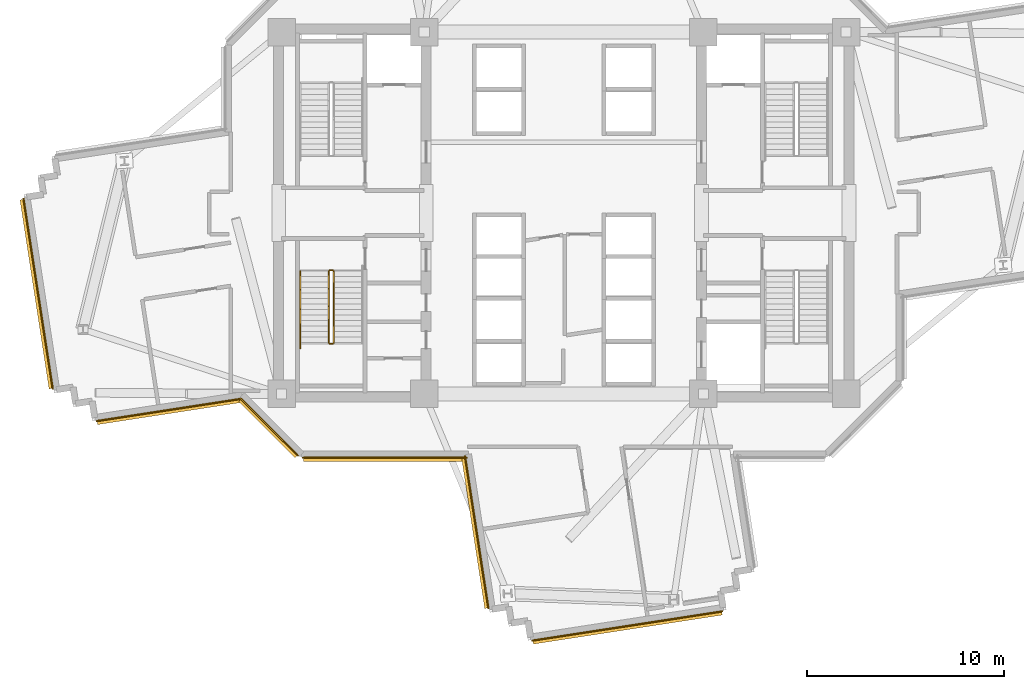
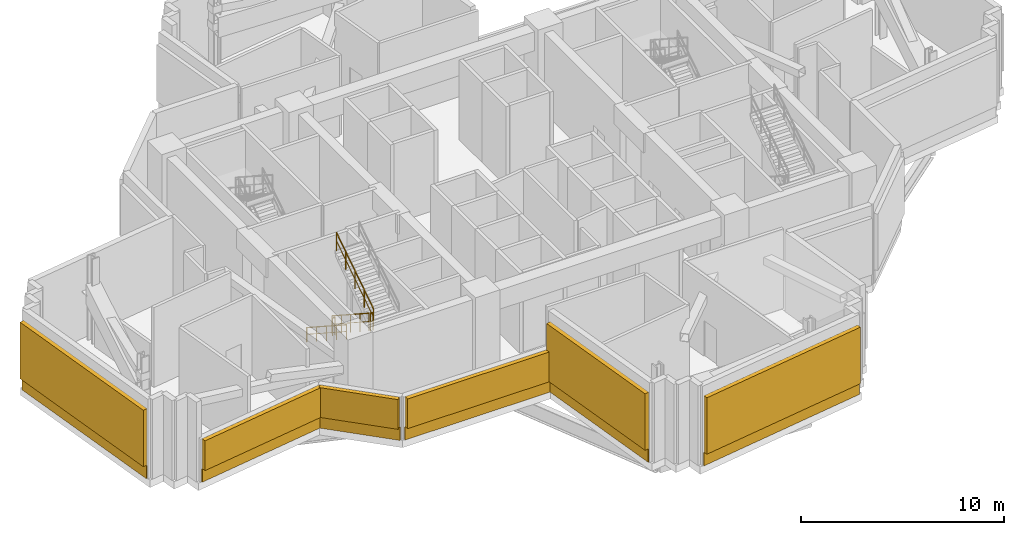
# One storey, part 7 of 10: 6 coverings, 6 shading devices, 5 railings.
"""IFC4 building model written with IfcOpenShell, lengths in metres."""

from ifc_helpers import new_model, si_unit, direction, frame, origin, origin_2d, place, context, subcontext, project, spatial, rectangle, extrude, source, transform, mapped, material, layer, layer_set, type_object, element, save


model = new_model("IFC4")

# Units and contexts
model_context = context("Model", 3, precision=1e-05, world=origin(), true_north=direction((0.0, 1.0)))
body_context = subcontext(model_context, "Body", "Model", "MODEL_VIEW")
ifc_project = project(units=[si_unit("LENGTHUNIT", "METRE"), si_unit("AREAUNIT", "SQUARE_METRE"), si_unit("VOLUMEUNIT", "CUBIC_METRE"), si_unit("PLANEANGLEUNIT", "RADIAN"), si_unit("MASSUNIT", "GRAM", prefix="KILO")], contexts=[model_context])

# Site, building, storey
site_placement = place(None, origin())
site = spatial("IfcSite", under=ifc_project, at=site_placement, CompositionType="ELEMENT")
building_placement = place(site_placement, origin())
building = spatial("IfcBuilding", under=site, at=building_placement, Name="Zahravan Cultural Tower", CompositionType="ELEMENT")
storey_placement = place(building_placement, frame((0.0, 0.0, 125.699951171875)))
storey = spatial("IfcBuildingStorey", under=building, at=storey_placement, Name="L28", CompositionType="ELEMENT", Elevation=125.699951171875)

# Railings
ifc_material_1 = material(Name="Steel ASTM A572 Grade 50", Category="steel")
railing_type_1 = type_object("IfcRailingType", Name="RL-STAIR-GRD1150", PredefinedType="BALUSTRADE", material=ifc_material_1)
railing_1_placement = place(storey_placement, frame((24.050048828125, 24.050048828125, 0.18212890625)))
element("IfcRailing", 1, at=railing_1_placement, inside=storey, type_object=railing_type_1, Name="L28 ST-W2 stair guard 1", PredefinedType="BALUSTRADE", context=body_context, shape_type="SweptSolid", body=[
    extrude(rectangle(XDim=0.05, YDim=0.05, at=origin_2d()), frame((0.0, 0.0, 1.0751953125), z_axis=(0.0, -0.83825089185, 0.545284735081), x_axis=(1.0, 0.0, 0.0)), (0.0, 0.0, 1.0), 4.342529296875),
    extrude(rectangle(XDim=0.032, YDim=0.032, at=origin_2d()), frame((0.0, 0.0, 0.572021484375), z_axis=(0.0, -0.83825089185, 0.545284735081), x_axis=(1.0, 0.0, 0.0)), (0.0, 0.0, 1.0), 4.342529296875),
    extrude(rectangle(XDim=0.04, YDim=0.04, at=origin_2d()), origin(), (0.0, 0.0, 1.0), 1.10009765625),
    extrude(rectangle(XDim=0.04, YDim=0.04, at=origin_2d()), frame((0.0, -0.91015625, 0.592041015625)), (0.0, 0.0, 1.0), 1.10009765625),
    extrude(rectangle(XDim=0.04, YDim=0.04, at=origin_2d()), frame((0.0, -1.820068359375, 1.18408203125)), (0.0, 0.0, 1.0), 1.10009765625),
    extrude(rectangle(XDim=0.04, YDim=0.04, at=origin_2d()), frame((0.0, -2.72998046875, 1.77587890625)), (0.0, 0.0, 1.0), 1.10009765625),
    extrude(rectangle(XDim=0.04, YDim=0.04, at=origin_2d()), frame((0.0, -3.64013671875, 2.367919921875)), (0.0, 0.0, 1.0), 1.10009765625),
])
railing_2_placement = place(storey_placement, frame((24.10009765625, 20.360107421875, 2.550048828125)))
element("IfcRailing", 2, at=railing_2_placement, inside=storey, type_object=railing_type_1, Name="L28 ST-W2 stair guard 2", PredefinedType="BALUSTRADE", context=body_context, shape_type="SweptSolid", body=[
    extrude(rectangle(XDim=0.05, YDim=0.05, at=origin_2d()), frame((0.0, 0.0, 1.0751953125), z_axis=(1.0, 0.0, 0.0), x_axis=(0.0, 1.0, 0.0)), (0.0, 0.0, 1.0), 0.14990234375),
    extrude(rectangle(XDim=0.032, YDim=0.032, at=origin_2d()), frame((0.0, 0.0, 0.572021484375), z_axis=(1.0, 0.0, 0.0), x_axis=(0.0, 1.0, 0.0)), (0.0, 0.0, 1.0), 0.14990234375),
    extrude(rectangle(XDim=0.04, YDim=0.04, at=origin_2d()), origin(), (0.0, 0.0, 1.0), 1.10009765625),
    extrude(rectangle(XDim=0.04, YDim=0.04, at=origin_2d()), frame((0.14990234375, 0.0, 0.0)), (0.0, 0.0, 1.0), 1.10009765625),
])
railing_3_placement = place(storey_placement, frame((24.300048828125, 20.409912109375, 2.732177734375)))
element("IfcRailing", 3, at=railing_3_placement, inside=storey, type_object=railing_type_1, Name="L28 ST-W2 stair guard 3", PredefinedType="BALUSTRADE", context=body_context, shape_type="SweptSolid", body=[
    extrude(rectangle(XDim=0.05, YDim=0.05, at=origin_2d()), frame((0.0, 0.0, 1.0751953125), z_axis=(0.0, 0.83825089185, 0.545284735081), x_axis=(-1.0, 0.0, 0.0)), (0.0, 0.0, 1.0), 4.342529296875),
    extrude(rectangle(XDim=0.032, YDim=0.032, at=origin_2d()), frame((0.0, 0.0, 0.572021484375), z_axis=(0.0, 0.83825089185, 0.545284735081), x_axis=(-1.0, 0.0, 0.0)), (0.0, 0.0, 1.0), 4.342529296875),
    extrude(rectangle(XDim=0.04, YDim=0.04, at=origin_2d()), origin(), (0.0, 0.0, 1.0), 1.10009765625),
    extrude(rectangle(XDim=0.04, YDim=0.04, at=origin_2d()), frame((0.0, 0.91015625, 0.592041015625)), (0.0, 0.0, 1.0), 1.10009765625),
    extrude(rectangle(XDim=0.04, YDim=0.04, at=origin_2d()), frame((0.0, 1.820068359375, 1.18408203125)), (0.0, 0.0, 1.0), 1.10009765625),
    extrude(rectangle(XDim=0.04, YDim=0.04, at=origin_2d()), frame((0.0, 2.72998046875, 1.77587890625)), (0.0, 0.0, 1.0), 1.10009765625),
    extrude(rectangle(XDim=0.04, YDim=0.04, at=origin_2d()), frame((0.0, 3.64013671875, 2.367919921875)), (0.0, 0.0, 1.0), 1.10009765625),
])
railing_4_placement = place(storey_placement, frame((24.10009765625, 24.10009765625, 0.0)))
element("IfcRailing", 4, at=railing_4_placement, inside=storey, type_object=railing_type_1, Name="L28 ST-W2 stair guard 4", PredefinedType="BALUSTRADE", context=body_context, shape_type="SweptSolid", body=[
    extrude(rectangle(XDim=0.05, YDim=0.05, at=origin_2d()), frame((0.0, 0.0, 1.0751953125), z_axis=(1.0, 0.0, 0.0), x_axis=(0.0, 1.0, 0.0)), (0.0, 0.0, 1.0), 0.14990234375),
    extrude(rectangle(XDim=0.032, YDim=0.032, at=origin_2d()), frame((0.0, 0.0, 0.572021484375), z_axis=(1.0, 0.0, 0.0), x_axis=(0.0, 1.0, 0.0)), (0.0, 0.0, 1.0), 0.14990234375),
    extrude(rectangle(XDim=0.04, YDim=0.04, at=origin_2d()), origin(), (0.0, 0.0, 1.0), 1.10009765625),
    extrude(rectangle(XDim=0.04, YDim=0.04, at=origin_2d()), frame((0.14990234375, 0.0, 0.0)), (0.0, 0.0, 1.0), 1.10009765625),
])
railing_type_2 = type_object("IfcRailingType", Name="RL-STAIR-HR900", PredefinedType="HANDRAIL", material=ifc_material_1)
railing_5_placement = place(storey_placement, frame((22.60009765625, 24.050048828125, 0.18212890625)))
element("IfcRailing", 5, at=railing_5_placement, inside=storey, type_object=railing_type_2, Name="L28 ST-W2 stair handrail 1", PredefinedType="HANDRAIL", context=body_context, shape_type="SweptSolid", body=[
    extrude(rectangle(XDim=0.05, YDim=0.05, at=origin_2d()), frame((0.0, 0.0, 0.875), z_axis=(0.0, -0.838253921411, 0.545280077794), x_axis=(1.0, 0.0, 0.0)), (0.0, 0.0, 1.0), 4.676513671875),
    extrude(rectangle(XDim=0.032, YDim=0.032, at=origin_2d()), frame((0.0, 0.0, 0.468017578125), z_axis=(0.0, -0.838253921411, 0.545280077794), x_axis=(1.0, 0.0, 0.0)), (0.0, 0.0, 1.0), 4.676513671875),
    extrude(rectangle(XDim=0.04, YDim=0.04, at=origin_2d()), origin(), (0.0, 0.0, 1.0), 0.89990234375),
    extrude(rectangle(XDim=0.04, YDim=0.04, at=origin_2d()), frame((0.0, -0.97998046875, 0.637451171875)), (0.0, 0.0, 1.0), 0.89990234375),
    extrude(rectangle(XDim=0.04, YDim=0.04, at=origin_2d()), frame((0.0, -1.9599609375, 1.27490234375)), (0.0, 0.0, 1.0), 0.89990234375),
    extrude(rectangle(XDim=0.04, YDim=0.04, at=origin_2d()), frame((0.0, -2.940185546875, 1.91259765625)), (0.0, 0.0, 1.0), 0.89990234375),
    extrude(rectangle(XDim=0.04, YDim=0.04, at=origin_2d()), frame((0.0, -3.920166015625, 2.550048828125)), (0.0, 0.0, 1.0), 0.89990234375),
])

# Coverings
ifc_material_2 = material(Name="Terracotta ceramic cladding", Category="masonry")
ifc_layer = layer(ifc_material_2, 0.06005859375)
ifc_layer_set = layer_set([ifc_layer], Name="Terracotta ceramic cladding")
covering_type = type_object("IfcCoveringType", Name="COV-CLAD-TC60", PredefinedType="CLADDING", material=ifc_layer_set)
shared_shape_1 = source(origin(), body_context, "Body", "SweptSolid", [
    extrude(rectangle(XDim=9.820068359375, YDim=0.06005859375, at=origin_2d()), origin(), (0.0, 0.0, 1.0), 0.760009765625),
])
for number, where, z_axis, x_axis, name in (
    (6, (39.228271484375, 6.001708984375, 0.02001953125), (0.0, 0.0, 1.0), (-0.988388045954, -0.151950882248, 0.0), "L28 Terracotta Spandrel Cladding 20"),
    (7, (9.26904296875, 22.890380859375, 0.02001953125), (0.0, 0.0, 1.0), (-0.151950882248, 0.988388045954, 0.0), "L28 Terracotta Spandrel Cladding 33"),
):
    element("IfcCovering", number, at=place(storey_placement, frame(where, z_axis=z_axis, x_axis=x_axis)), inside=storey, type_object=covering_type, Name=name, PredefinedType="CLADDING", context=body_context, shape_type="MappedRepresentation", body=[
        mapped(shared_shape_1, transform((0.0, 0.0, 0.0), x_axis=(1.0, 0.0, 0.0), y_axis=(0.0, 1.0, 0.0), z_axis=(0.0, 0.0, 1.0), scale=1.0)),
    ])
shared_shape_2 = source(origin(), body_context, "Body", "SweptSolid", [
    extrude(rectangle(XDim=7.493896484375, YDim=0.06005859375, at=origin_2d()), origin(), (0.0, 0.0, 1.0), 0.760009765625),
])
covering_1_placement = place(storey_placement, frame((15.925048828125, 16.98828125, 0.02001953125), z_axis=(0.0, 0.0, 1.0), x_axis=(-0.98838539376, -0.151968132851, 0.0)))
element("IfcCovering", 8, at=covering_1_placement, inside=storey, type_object=covering_type, Name="L28 Terracotta Spandrel Cladding 28", PredefinedType="CLADDING", context=body_context, shape_type="MappedRepresentation", body=[
    mapped(shared_shape_2, transform((0.0, 0.0, 0.0), x_axis=(1.0, 0.0, 0.0), y_axis=(0.0, 1.0, 0.0), z_axis=(0.0, 0.0, 1.0), scale=1.0)),
])

# Shading devices
ifc_material_3 = material(Name="Architectural terracotta fin", Category="masonry")
shading_device_type = type_object("IfcShadingDeviceType", Name="SHD-LOUVRE-BAND", PredefinedType="JALOUSIE", material=ifc_material_3)
shared_shape_3 = source(origin(), body_context, "Body", "SweptSolid", [
    extrude(rectangle(XDim=7.393798828125, YDim=0.239990234375, at=origin_2d()), origin(), (0.0, 0.0, 1.0), 1.7919921875),
])
shading_device_1_placement = place(storey_placement, frame((15.934814453125, 16.924072265625, 0.780029296875), z_axis=(0.0, 0.0, 1.0), x_axis=(-0.98838539376, -0.151968132851, 0.0)))
element("IfcShadingDevice", 9, at=shading_device_1_placement, inside=storey, type_object=shading_device_type, Name="L28 Terracotta Acoustic Louvre 12", PredefinedType="JALOUSIE", context=body_context, shape_type="MappedRepresentation", body=[
    mapped(shared_shape_3, transform((0.0, 0.0, 0.0), x_axis=(1.0, 0.0, 0.0), y_axis=(0.0, 1.0, 0.0), z_axis=(0.0, 0.0, 1.0), scale=1.0)),
])
shared_shape_4 = source(origin(), body_context, "Body", "SweptSolid", [
    extrude(rectangle(XDim=9.719970703125, YDim=0.239990234375, at=origin_2d()), origin(), (0.0, 0.0, 1.0), 3.39990234375),
])
for number, where, z_axis, x_axis, name in (
    (10, (39.238037109375, 5.9375, 0.780029296875), (0.0, 0.0, 1.0), (-0.988388045954, -0.151950882248, 0.0), "L28 Terracotta Acoustic Louvre 08"),
    (11, (9.204833984375, 22.880615234375, 0.780029296875), (0.0, 0.0, 1.0), (-0.151950882248, 0.988388045954, 0.0), "L28 Terracotta Acoustic Louvre 13"),
):
    element("IfcShadingDevice", number, at=place(storey_placement, frame(where, z_axis=z_axis, x_axis=x_axis)), inside=storey, type_object=shading_device_type, Name=name, PredefinedType="JALOUSIE", context=body_context, shape_type="MappedRepresentation", body=[
        mapped(shared_shape_4, transform((0.0, 0.0, 0.0), x_axis=(1.0, 0.0, 0.0), y_axis=(0.0, 1.0, 0.0), z_axis=(0.0, 0.0, 1.0), scale=1.0)),
    ])

# Covering
shared_shape_5 = source(origin(), body_context, "Body", "SweptSolid", [
    extrude(rectangle(XDim=7.8798828125, YDim=0.06005859375, at=origin_2d()), origin(), (0.0, 0.0, 1.0), 0.760009765625),
])
covering_2_placement = place(storey_placement, frame((31.56982421875, 10.768310546875, 0.02001953125), z_axis=(0.0, 0.0, 1.0), x_axis=(-0.151950882248, 0.988388045954, 0.0)))
element("IfcCovering", 12, at=covering_2_placement, inside=storey, type_object=covering_type, Name="L28 Terracotta Spandrel Cladding 25", PredefinedType="CLADDING", context=body_context, shape_type="MappedRepresentation", body=[
    mapped(shared_shape_5, transform((0.0, 0.0, 0.0), x_axis=(1.0, 0.0, 0.0), y_axis=(0.0, 1.0, 0.0), z_axis=(0.0, 0.0, 1.0), scale=1.0)),
])

# Shading device
shared_shape_6 = source(origin(), body_context, "Body", "SweptSolid", [
    extrude(rectangle(XDim=7.77978515625, YDim=0.239990234375, at=origin_2d()), origin(), (0.0, 0.0, 1.0), 3.39990234375),
])
shading_device_2_placement = place(storey_placement, frame((31.505615234375, 10.75830078125, 0.780029296875), z_axis=(0.0, 0.0, 1.0), x_axis=(-0.151950882248, 0.988388045954, 0.0)))
element("IfcShadingDevice", 13, at=shading_device_2_placement, inside=storey, type_object=shading_device_type, Name="L28 Terracotta Acoustic Louvre 09", PredefinedType="JALOUSIE", context=body_context, shape_type="MappedRepresentation", body=[
    mapped(shared_shape_6, transform((0.0, 0.0, 0.0), x_axis=(1.0, 0.0, 0.0), y_axis=(0.0, 1.0, 0.0), z_axis=(0.0, 0.0, 1.0), scale=1.0)),
])

# Covering
shared_shape_7 = source(origin(), body_context, "Body", "SweptSolid", [
    extrude(rectangle(XDim=8.388427734375, YDim=0.06005859375, at=origin_2d()), origin(), (0.0, 0.0, 1.0), 0.760009765625),
])
covering_3_placement = place(storey_placement, frame((26.90234375, 14.554931640625, 0.02001953125), z_axis=(0.0, 0.0, 1.0), x_axis=(-1.0, 0.0, 0.0)))
element("IfcCovering", 14, at=covering_3_placement, inside=storey, type_object=covering_type, Name="L28 Terracotta Spandrel Cladding 26", PredefinedType="CLADDING", context=body_context, shape_type="MappedRepresentation", body=[
    mapped(shared_shape_7, transform((0.0, 0.0, 0.0), x_axis=(1.0, 0.0, 0.0), y_axis=(0.0, 1.0, 0.0), z_axis=(0.0, 0.0, 1.0), scale=1.0)),
])

# Shading device
shared_shape_8 = source(origin(), body_context, "Body", "SweptSolid", [
    extrude(rectangle(XDim=8.28857421875, YDim=0.239990234375, at=origin_2d()), origin(), (0.0, 0.0, 1.0), 1.7919921875),
])
shading_device_3_placement = place(storey_placement, frame((26.90234375, 14.489990234375, 0.780029296875), z_axis=(0.0, 0.0, 1.0), x_axis=(-1.0, 0.0, 0.0)))
element("IfcShadingDevice", 15, at=shading_device_3_placement, inside=storey, type_object=shading_device_type, Name="L28 Terracotta Acoustic Louvre 10", PredefinedType="JALOUSIE", context=body_context, shape_type="MappedRepresentation", body=[
    mapped(shared_shape_8, transform((0.0, 0.0, 0.0), x_axis=(1.0, 0.0, 0.0), y_axis=(0.0, 1.0, 0.0), z_axis=(0.0, 0.0, 1.0), scale=1.0)),
])

# Covering
shared_shape_9 = source(origin(), body_context, "Body", "SweptSolid", [
    extrude(rectangle(XDim=4.154296875, YDim=0.06005859375, at=origin_2d()), origin(), (0.0, 0.0, 1.0), 0.760009765625),
])
covering_4_placement = place(storey_placement, frame((21.023193359375, 16.11328125, 0.02001953125), z_axis=(0.0, 0.0, 1.0), x_axis=(-0.707106781187, 0.707106781187, 0.0)))
element("IfcCovering", 16, at=covering_4_placement, inside=storey, type_object=covering_type, Name="L28 Terracotta Spandrel Cladding 27", PredefinedType="CLADDING", context=body_context, shape_type="MappedRepresentation", body=[
    mapped(shared_shape_9, transform((0.0, 0.0, 0.0), x_axis=(1.0, 0.0, 0.0), y_axis=(0.0, 1.0, 0.0), z_axis=(0.0, 0.0, 1.0), scale=1.0)),
])

# Shading device
shared_shape_10 = source(origin(), body_context, "Body", "SweptSolid", [
    extrude(rectangle(XDim=4.05419921875, YDim=0.239990234375, at=origin_2d()), origin(), (0.0, 0.0, 1.0), 1.7919921875),
])
shading_device_4_placement = place(storey_placement, frame((20.97705078125, 16.0673828125, 0.780029296875), z_axis=(0.0, 0.0, 1.0), x_axis=(-0.707106781187, 0.707106781187, 0.0)))
element("IfcShadingDevice", 17, at=shading_device_4_placement, inside=storey, type_object=shading_device_type, Name="L28 Terracotta Acoustic Louvre 11", PredefinedType="JALOUSIE", context=body_context, shape_type="MappedRepresentation", body=[
    mapped(shared_shape_10, transform((0.0, 0.0, 0.0), x_axis=(1.0, 0.0, 0.0), y_axis=(0.0, 1.0, 0.0), z_axis=(0.0, 0.0, 1.0), scale=1.0)),
])

save(model, "model.ifc")
